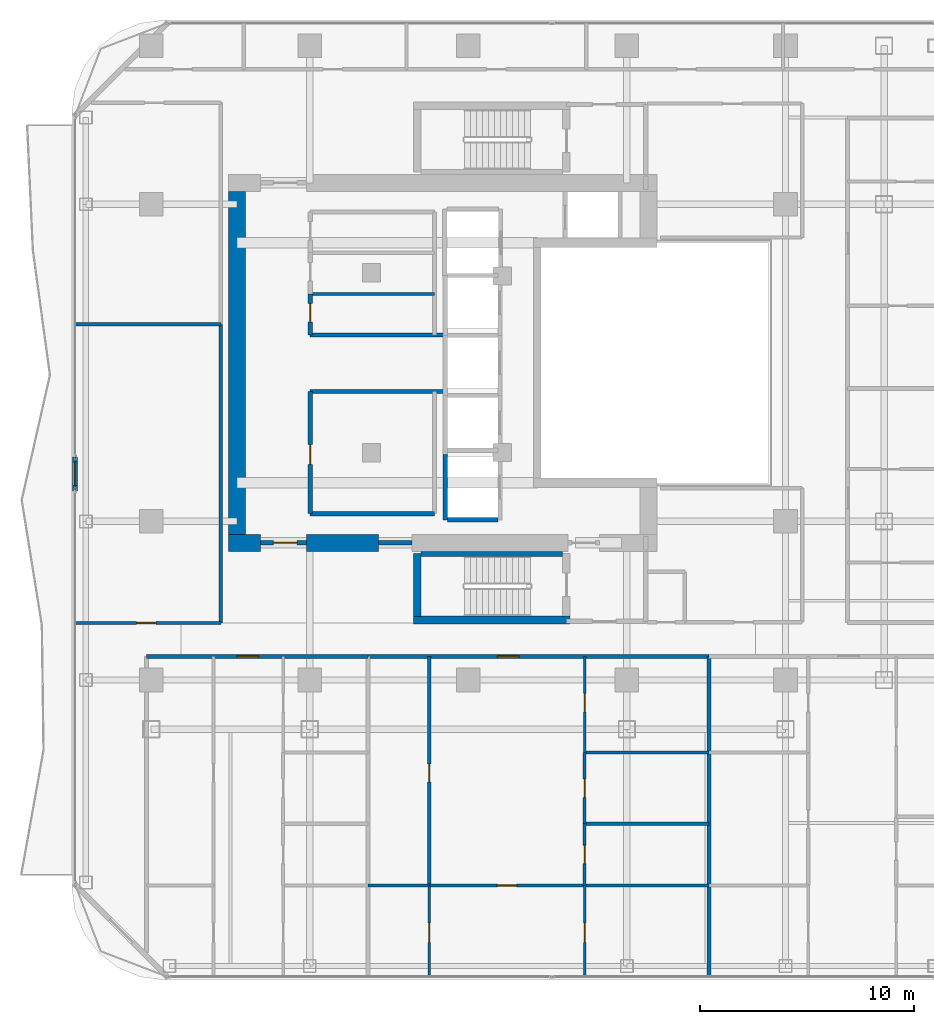
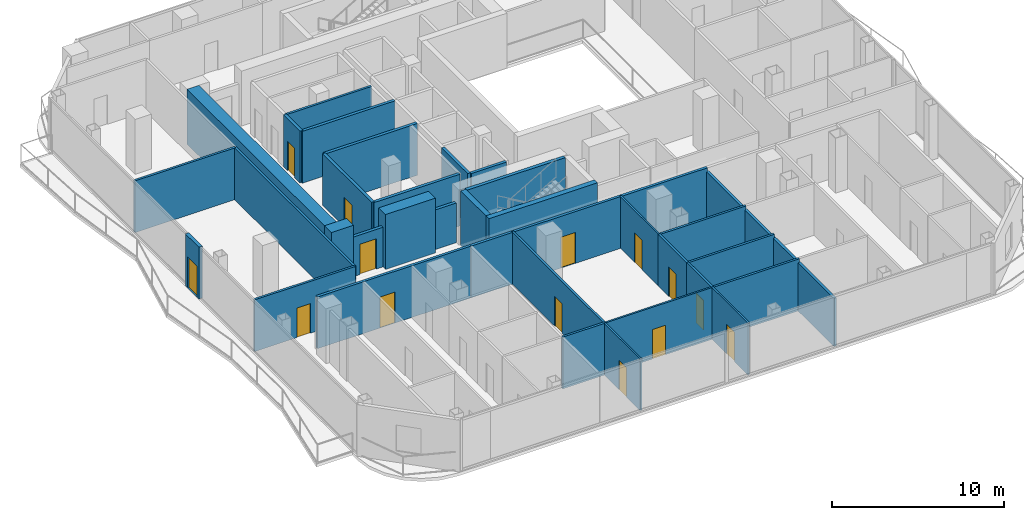
# One storey, part 20 of 27: 34 walls, 14 doors, 14 openings.
"""IFC4 building model written with IfcOpenShell, lengths in metres."""

from ifc_helpers import new_model, si_unit, direction, frame, frame_2d, origin, place, context, subcontext, project, spatial, rectangle, extrude, material, layer, layer_set, type_object, element, fill, save


model = new_model("IFC4")

# Units and contexts
model_context = context("Model", 3, precision=1e-05, world=origin(), true_north=direction((0.0, 1.0)))
body_context = subcontext(model_context, "Body", "Model", "MODEL_VIEW")
ifc_project = project(units=[si_unit("LENGTHUNIT", "METRE"), si_unit("AREAUNIT", "SQUARE_METRE"), si_unit("VOLUMEUNIT", "CUBIC_METRE"), si_unit("PLANEANGLEUNIT", "RADIAN"), si_unit("MASSUNIT", "GRAM", prefix="KILO")], contexts=[model_context])

# Site, building, storey
site_placement = place(None, origin())
site = spatial("IfcSite", under=ifc_project, at=site_placement, CompositionType="ELEMENT")
building_placement = place(site_placement, origin())
building = spatial("IfcBuilding", under=site, at=building_placement, Name="Khorvyn Point Tower", CompositionType="ELEMENT")
storey_placement = place(building_placement, frame((0.0, 0.0, 227.39990234375)))
storey = spatial("IfcBuildingStorey", under=building, at=storey_placement, Name="L56", CompositionType="ELEMENT", Elevation=227.39990234375)

# Wall, opening, door
ifc_material_1 = material(Name="Double acoustic gypsum on twin steel stud", Category="steel")
ifc_layer_1 = layer(ifc_material_1, 0.179931640625)
ifc_layer_set_1 = layer_set([ifc_layer_1], Name="Acoustic Double-Stud Apartment Demising Wall 180")
wall_type_1 = type_object("IfcWallType", Name="Acoustic Double-Stud Apartment Demising Wall 180", PredefinedType="PARTITIONING", material=ifc_layer_set_1)
wall_1_placement = place(storey_placement, frame((-15.02001953125, -13.699951171875, 0.0), z_axis=(0.0, 0.0, 1.0), x_axis=(1.0, 0.0, 0.0)))
wall_1 = element("IfcWall", 1, at=wall_1_placement, inside=storey, type_object=wall_type_1, Name="Wall", PredefinedType="PARTITIONING", context=body_context, shape_type="SweptSolid", body=[
    extrude(rectangle(XDim=10.343017578125, YDim=0.179931640625, at=frame_2d((5.17138671875, 0.0))), origin(), (0.0, 0.0, 1.0), 3.68017578125),
])
opening_1_placement = place(wall_1_placement, frame((4.229248046875, 0.0, 0.0)))
opening_1 = element("IfcOpeningElement", 2, at=opening_1_placement, cuts=wall_1, Name="Opening ID-AP60", PredefinedType="OPENING", context=body_context, shape_type="SweptSolid", body=[
    extrude(rectangle(XDim=1.0, YDim=2.199951171875, at=frame_2d((0.5, 1.10009765625))), frame((0.0, 0.099853515625, 0.0), z_axis=(0.0, -1.0, 0.0), x_axis=(1.0, 0.0, 0.0)), (0.0, 0.0, 1.0), 0.199951171875),
])
ifc_material_2 = material(Name="Engineered hardwood fire-rated leaf", Category="wood")
door_type_1 = type_object("IfcDoorType", Name="Acoustic Solid-Core Timber Apartment Entrance Door 1000x2200", OperationType="NOTDEFINED", PredefinedType="DOOR", material=ifc_material_2)
door_1_placement = place(opening_1_placement, origin())
door_1 = element("IfcDoor", 3, at=door_1_placement, inside=storey, type_object=door_type_1, Name="Door", OperationType="SINGLE_SWING_LEFT", OverallHeight=2.199951171875, OverallWidth=1.0, PredefinedType="DOOR", context=body_context, shape_type="SweptSolid", body=[
    extrude(rectangle(XDim=1.0, YDim=2.199951171875, at=frame_2d((0.5, 1.10009765625))), frame((0.0, 0.02490234375, 0.0), z_axis=(0.0, -1.0, 0.0), x_axis=(1.0, 0.0, 0.0)), (0.0, 0.0, 1.0), 0.050048828125),
])
fill(opening_1, door_1)

wall_2_placement = place(storey_placement, frame((-4.677001953125, -13.699951171875, 0.0), z_axis=(0.0, 0.0, 1.0), x_axis=(1.0, 0.0, 0.0)))
wall_2 = element("IfcWall", 4, at=wall_2_placement, inside=storey, type_object=wall_type_1, Name="Wall", PredefinedType="PARTITIONING", context=body_context, shape_type="SweptSolid", body=[
    extrude(rectangle(XDim=15.905029296875, YDim=0.179931640625, at=frame_2d((7.95263671875, 0.0))), origin(), (0.0, 0.0, 1.0), 3.68017578125),
])
opening_2_placement = place(wall_2_placement, frame((6.029541015625, 0.0, 0.0)))
opening_2 = element("IfcOpeningElement", 5, at=opening_2_placement, cuts=wall_2, Name="Opening ID-AP60", PredefinedType="OPENING", context=body_context, shape_type="SweptSolid", body=[
    extrude(rectangle(XDim=1.0, YDim=2.199951171875, at=frame_2d((0.5, 1.10009765625))), frame((0.0, 0.099853515625, 0.0), z_axis=(0.0, -1.0, 0.0), x_axis=(1.0, 0.0, 0.0)), (0.0, 0.0, 1.0), 0.199951171875),
])
door_2_placement = place(opening_2_placement, origin())
door_2 = element("IfcDoor", 6, at=door_2_placement, inside=storey, type_object=door_type_1, Name="Door", OperationType="SINGLE_SWING_RIGHT", OverallHeight=2.199951171875, OverallWidth=1.0, PredefinedType="DOOR", context=body_context, shape_type="SweptSolid", body=[
    extrude(rectangle(XDim=1.0, YDim=2.199951171875, at=frame_2d((0.5, 1.10009765625))), frame((0.0, 0.02490234375, 0.0), z_axis=(0.0, -1.0, 0.0), x_axis=(1.0, 0.0, 0.0)), (0.0, 0.0, 1.0), 0.050048828125),
])
fill(opening_2, door_2)

# Wall
wall_3_placement = place(storey_placement, frame((11.22802734375, -28.6298828125, 0.0), z_axis=(0.0, 0.0, 1.0), x_axis=(0.0, 1.0, 0.0)))
element("IfcWall", 7, at=wall_3_placement, inside=storey, type_object=wall_type_1, Name="Wall", PredefinedType="PARTITIONING", context=body_context, shape_type="SweptSolid", body=[
    extrude(rectangle(XDim=14.929931640625, YDim=0.179931640625, at=frame_2d((7.46484375, 0.0))), origin(), (0.0, 0.0, 1.0), 3.420166015625),
])

# Wall, opening, door
ifc_material_3 = material(Name="Pale anodised aluminium rainscreen on steel stud", Category="steel")
ifc_layer_2 = layer(ifc_material_3, 0.239990234375)
ifc_layer_set_2 = layer_set([ifc_layer_2], Name="Anodised Aluminium Insulated Corner Spandrel Wall 240")
wall_type_2 = type_object("IfcWallType", Name="Anodised Aluminium Insulated Corner Spandrel Wall 240", PredefinedType="SOLIDWALL", material=ifc_layer_set_2)
wall_4_placement = place(storey_placement, frame((-18.35009765625, -5.969970703125, 0.0), z_axis=(0.0, 0.0, 1.0), x_axis=(0.0, 1.0, 0.0)))
wall_4 = element("IfcWall", 8, at=wall_4_placement, inside=storey, type_object=wall_type_2, Name="L56 West Outdoor Threshold Wall", PredefinedType="SOLIDWALL", context=body_context, shape_type="SweptSolid", body=[
    extrude(rectangle(XDim=1.580078125, YDim=0.239990234375, at=frame_2d((0.7900390625, 0.0))), origin(), (0.0, 0.0, 1.0), 3.68017578125),
])
opening_3_placement = place(wall_4_placement, frame((0.239990234375, 0.0, 0.0)))
opening_3 = element("IfcOpeningElement", 9, at=opening_3_placement, cuts=wall_4, Name="Opening BD-1122", PredefinedType="OPENING", context=body_context, shape_type="SweptSolid", body=[
    extrude(rectangle(XDim=1.10009765625, YDim=2.199951171875, at=frame_2d((0.550048828125, 1.10009765625))), frame((0.0, 0.1298828125, 0.0), z_axis=(0.0, -1.0, 0.0), x_axis=(1.0, 0.0, 0.0)), (0.0, 0.0, 1.0), 0.260009765625),
])
ifc_material_4 = material(Name="Anodised aluminium 6063-T6 and laminated Low-E glass", Category="aluminium")
door_type_2 = type_object("IfcDoorType", Name="Glazed Balcony and Terrace Threshold Door 1100x2200", OperationType="NOTDEFINED", PredefinedType="DOOR", material=ifc_material_4)
door_3_placement = place(opening_3_placement, origin())
door_3 = element("IfcDoor", 10, at=door_3_placement, inside=storey, type_object=door_type_2, Name="L56 West Glazed Balcony Outdoor Door", OperationType="SINGLE_SWING_RIGHT", OverallHeight=2.199951171875, OverallWidth=1.10009765625, PredefinedType="DOOR", context=body_context, shape_type="SweptSolid", body=[
    extrude(rectangle(XDim=1.10009765625, YDim=2.199951171875, at=frame_2d((0.550048828125, 1.10009765625))), frame((0.0, 0.02490234375, 0.0), z_axis=(0.0, -1.0, 0.0), x_axis=(1.0, 0.0, 0.0)), (0.0, 0.0, 1.0), 0.050048828125),
])
fill(opening_3, door_3)

ifc_material_5 = material(Name="Concrete C40/50", Category="concrete")
ifc_layer_3 = layer(ifc_material_5, 0.199951171875)
ifc_layer_set_3 = layer_set([ifc_layer_3], Name="Concrete C40/50 Fire-Lobby Compartment Wall 200")
wall_type_3 = type_object("IfcWallType", Name="Concrete C40/50 Fire-Lobby Compartment Wall 200", PredefinedType="SOLIDWALL", material=ifc_layer_set_3)
wall_5_placement = place(storey_placement, frame((-9.699951171875, -8.39990234375, 0.0), z_axis=(0.0, 0.0, 1.0), x_axis=(1.0, 0.0, 0.0)))
wall_5 = element("IfcWall", 11, at=wall_5_placement, inside=storey, type_object=wall_type_3, Name="Wall", PredefinedType="SOLIDWALL", context=body_context, shape_type="SweptSolid", body=[
    extrude(rectangle(XDim=2.14990234375, YDim=0.199951171875, at=frame_2d((1.074951171875, 0.0))), origin(), (0.0, 0.0, 1.0), 2.820068359375),
])
opening_4_placement = place(wall_5_placement, frame((0.597900390625, 0.0, 0.0)))
opening_4 = element("IfcOpeningElement", 12, at=opening_4_placement, cuts=wall_5, Name="Opening ID-FL90", PredefinedType="OPENING", context=body_context, shape_type="SweptSolid", body=[
    extrude(rectangle(XDim=1.10009765625, YDim=2.14990234375, at=frame_2d((0.550048828125, 1.074951171875))), frame((0.0, 0.10986328125, 0.0), z_axis=(0.0, -1.0, 0.0), x_axis=(1.0, 0.0, 0.0)), (0.0, 0.0, 1.0), 0.219970703125),
])
ifc_material_6 = material(Name="Galvanised powder-coated steel", Category="steel")
door_type_3 = type_object("IfcDoorType", Name="Fire-Rated Steel Lobby and Stair Door 1100x2150", OperationType="NOTDEFINED", PredefinedType="DOOR", material=ifc_material_6)
door_4_placement = place(opening_4_placement, origin())
door_4 = element("IfcDoor", 13, at=door_4_placement, inside=storey, type_object=door_type_3, Name="Door", OperationType="SINGLE_SWING_LEFT", OverallHeight=2.14990234375, OverallWidth=1.10009765625, PredefinedType="DOOR", context=body_context, shape_type="SweptSolid", body=[
    extrude(rectangle(XDim=1.10009765625, YDim=2.14990234375, at=frame_2d((0.550048828125, 1.074951171875))), frame((0.0, 0.02490234375, 0.0), z_axis=(0.0, -1.0, 0.0), x_axis=(1.0, 0.0, 0.0)), (0.0, 0.0, 1.0), 0.050048828125),
])
fill(opening_4, door_4)

wall_6_placement = place(storey_placement, frame((-7.3798828125, -7.0400390625, 0.0), z_axis=(0.0, 0.0, 1.0), x_axis=(0.0, 1.0, 0.0)))
wall_6 = element("IfcWall", 14, at=wall_6_placement, inside=storey, type_object=wall_type_3, Name="Wall", PredefinedType="SOLIDWALL", context=body_context, shape_type="SweptSolid", body=[
    extrude(rectangle(XDim=5.699951171875, YDim=0.199951171875, at=frame_2d((2.85009765625, 0.0))), origin(), (0.0, 0.0, 1.0), 3.68017578125),
])
opening_5_placement = place(wall_6_placement, frame((2.30078125, 0.0, 0.0)))
opening_5 = element("IfcOpeningElement", 15, at=opening_5_placement, cuts=wall_6, Name="Opening ID-RS60", PredefinedType="OPENING", context=body_context, shape_type="SweptSolid", body=[
    extrude(rectangle(XDim=0.919921875, YDim=2.10009765625, at=frame_2d((0.4599609375, 1.050048828125))), frame((0.0, 0.10986328125, 0.0), z_axis=(0.0, -1.0, 0.0), x_axis=(1.0, 0.0, 0.0)), (0.0, 0.0, 1.0), 0.219970703125),
])
door_type_4 = type_object("IfcDoorType", Name="Fire-Rated Riser and Store Steel Door 920x2100", OperationType="NOTDEFINED", PredefinedType="DOOR", material=ifc_material_6)
door_5_placement = place(opening_5_placement, origin())
door_5 = element("IfcDoor", 16, at=door_5_placement, inside=storey, type_object=door_type_4, Name="Door", OperationType="SINGLE_SWING_LEFT", OverallHeight=2.10009765625, OverallWidth=0.919921875, PredefinedType="DOOR", context=body_context, shape_type="SweptSolid", body=[
    extrude(rectangle(XDim=0.919921875, YDim=2.10009765625, at=frame_2d((0.4599609375, 1.050048828125))), frame((0.0, 0.02490234375, 0.0), z_axis=(0.0, -1.0, 0.0), x_axis=(1.0, 0.0, 0.0)), (0.0, 0.0, 1.0), 0.050048828125),
])
fill(opening_5, door_5)

wall_7_placement = place(storey_placement, frame((-7.3798828125, 1.300048828125, 0.0), z_axis=(0.0, 0.0, 1.0), x_axis=(0.0, 1.0, 0.0)))
wall_7 = element("IfcWall", 17, at=wall_7_placement, inside=storey, type_object=wall_type_3, Name="Wall", PredefinedType="SOLIDWALL", context=body_context, shape_type="SweptSolid", body=[
    extrude(rectangle(XDim=1.919921875, YDim=0.199951171875, at=frame_2d((0.9599609375, 0.0))), origin(), (0.0, 0.0, 1.0), 3.68017578125),
])
opening_6_placement = place(wall_7_placement, frame((0.610107421875, 0.0, 0.0)))
opening_6 = element("IfcOpeningElement", 18, at=opening_6_placement, cuts=wall_7, Name="Opening ID-WC85", PredefinedType="OPENING", context=body_context, shape_type="SweptSolid", body=[
    extrude(rectangle(XDim=0.85009765625, YDim=2.10009765625, at=frame_2d((0.425048828125, 1.050048828125))), frame((0.0, 0.10986328125, 0.0), z_axis=(0.0, -1.0, 0.0), x_axis=(1.0, 0.0, 0.0)), (0.0, 0.0, 1.0), 0.219970703125),
])
ifc_material_7 = material(Name="High-pressure laminate on moisture-resistant core", Category="wood")
door_type_5 = type_object("IfcDoorType", Name="Moisture-Resistant Accessible Washroom Door 850x2100", OperationType="NOTDEFINED", PredefinedType="DOOR", material=ifc_material_7)
door_6_placement = place(opening_6_placement, origin())
door_6 = element("IfcDoor", 19, at=door_6_placement, inside=storey, type_object=door_type_5, Name="Door", OperationType="SINGLE_SWING_RIGHT", OverallHeight=2.10009765625, OverallWidth=0.85009765625, PredefinedType="DOOR", context=body_context, shape_type="SweptSolid", body=[
    extrude(rectangle(XDim=0.85009765625, YDim=2.10009765625, at=frame_2d((0.425048828125, 1.050048828125))), frame((0.0, 0.02490234375, 0.0), z_axis=(0.0, -1.0, 0.0), x_axis=(1.0, 0.0, 0.0)), (0.0, 0.0, 1.0), 0.050048828125),
])
fill(opening_6, door_6)

# Walls
wall_8_placement = place(storey_placement, frame((-4.199951171875, -8.39990234375, 0.0), z_axis=(0.0, 0.0, 1.0), x_axis=(1.0, 0.0, 0.0)))
element("IfcWall", 20, at=wall_8_placement, inside=storey, type_object=wall_type_3, Name="Wall", PredefinedType="SOLIDWALL", context=body_context, shape_type="SweptSolid", body=[
    extrude(rectangle(XDim=1.579833984375, YDim=0.199951171875, at=frame_2d((0.7900390625, 0.0))), origin(), (0.0, 0.0, 1.0), 2.820068359375),
])
for number, where, z_axis, x_axis, name in (
    (21, (-7.3798828125, -1.340087890625, 0.0), (0.0, 0.0, 1.0), (1.0, 0.0, 0.0), "Wall"),
    (22, (-7.3798828125, 1.300048828125, 0.0), (0.0, 0.0, 1.0), (1.0, 0.0, 0.0), "Wall"),
):
    element("IfcWall", number, at=place(storey_placement, frame(where, z_axis=z_axis, x_axis=x_axis)), inside=storey, type_object=wall_type_3, Name=name, PredefinedType="SOLIDWALL", context=body_context, shape_type="SweptSolid", body=[
        extrude(rectangle(XDim=6.239990234375, YDim=0.199951171875, at=frame_2d((3.1201171875, 0.0))), origin(), (0.0, 0.0, 1.0), 3.68017578125),
    ])
wall_9_placement = place(storey_placement, frame((-7.3798828125, -7.0400390625, 0.0), z_axis=(0.0, 0.0, 1.0), x_axis=(1.0, 0.0, 0.0)))
element("IfcWall", 23, at=wall_9_placement, inside=storey, type_object=wall_type_3, Name="Wall", PredefinedType="SOLIDWALL", context=body_context, shape_type="SweptSolid", body=[
    extrude(rectangle(XDim=5.7998046875, YDim=0.199951171875, at=frame_2d((2.89990234375, 0.0))), origin(), (0.0, 0.0, 1.0), 3.68017578125),
])
ifc_layer_4 = layer(ifc_material_5, 0.25)
ifc_layer_set_4 = layer_set([ifc_layer_4], Name="Concrete C40/50 Stair Inner Cheek Structural Wall 250")
wall_type_4 = type_object("IfcWallType", Name="Concrete C40/50 Stair Inner Cheek Structural Wall 250", PredefinedType="SHEAR", material=ifc_layer_set_4)
wall_10_placement = place(storey_placement, frame((-2.199951171875, -8.91259765625, 0.0), z_axis=(0.0, 0.0, 1.0), x_axis=(1.0, 0.0, 0.0)))
element("IfcWall", 24, at=wall_10_placement, inside=storey, type_object=wall_type_4, Name="Wall", PredefinedType="SHEAR", context=body_context, shape_type="SweptSolid", body=[
    extrude(rectangle(XDim=6.599853515625, YDim=0.22509765625, at=frame_2d((3.2998046875, 0.0))), origin(), (0.0, 0.0, 1.0), 3.900146484375),
])
ifc_layer_5 = layer(ifc_material_5, 0.35009765625)
ifc_layer_set_5 = layer_set([ifc_layer_5], Name="Concrete C40/50 Stair Shaft Structural Wall 350")
wall_type_5 = type_object("IfcWallType", Name="Concrete C40/50 Stair Shaft Structural Wall 350", PredefinedType="SHEAR", material=ifc_layer_set_5)
wall_11_placement = place(storey_placement, frame((-2.554931640625, -12.0, 0.0), z_axis=(0.0, 0.0, 1.0), x_axis=(1.0, 0.0, 0.0)))
element("IfcWall", 25, at=wall_11_placement, inside=storey, type_object=wall_type_5, Name="L56 ST-01 South Shaft Wall", PredefinedType="SHEAR", context=body_context, shape_type="SweptSolid", body=[
    extrude(rectangle(XDim=7.309814453125, YDim=0.35009765625, at=frame_2d((3.65478515625, 0.0))), origin(), (0.0, 0.0, 1.0), 3.900146484375),
])
wall_12_placement = place(storey_placement, frame((-2.3798828125, -11.824951171875, 0.0), z_axis=(0.0, 0.0, 1.0), x_axis=(0.0, 1.0, 0.0)))
element("IfcWall", 26, at=wall_12_placement, inside=storey, type_object=wall_type_5, Name="L56 ST-01 West Shaft Wall", PredefinedType="SHEAR", context=body_context, shape_type="SweptSolid", body=[
    extrude(rectangle(XDim=2.925048828125, YDim=0.35009765625, at=frame_2d((1.46240234375, 0.0))), origin(), (0.0, 0.0, 1.0), 3.900146484375),
])
ifc_layer_6 = layer(ifc_material_5, 0.199951171875)
ifc_layer_set_6 = layer_set([ifc_layer_6], Name="Concrete C40/50 Structural Hoistway and Stair Shaft Wall 200")
wall_type_6 = type_object("IfcWallType", Name="Concrete C40/50 Structural Hoistway and Stair Shaft Wall 200", PredefinedType="SHEAR", material=ifc_layer_set_6)
wall_13_placement = place(storey_placement, frame((-1.074951171875, -7.324951171875, 0.0), z_axis=(0.0, 0.0, 1.0), x_axis=(0.0, 1.0, 0.0)))
element("IfcWall", 27, at=wall_13_placement, inside=storey, type_object=wall_type_6, Name="Wall", PredefinedType="SHEAR", context=body_context, shape_type="SweptSolid", body=[
    extrude(rectangle(XDim=3.050048828125, YDim=0.199951171875, at=frame_2d((1.52490234375, 0.0))), origin(), (0.0, 0.0, 1.0), 3.68017578125),
])
wall_14_placement = place(storey_placement, frame((-0.97509765625, -7.324951171875, 0.0), z_axis=(0.0, 0.0, 1.0), x_axis=(1.0, 0.0, 0.0)))
element("IfcWall", 28, at=wall_14_placement, inside=storey, type_object=wall_type_6, Name="Wall", PredefinedType="SHEAR", context=body_context, shape_type="SweptSolid", body=[
    extrude(rectangle(XDim=2.35009765625, YDim=0.199951171875, at=frame_2d((1.175048828125, 0.0))), origin(), (0.0, 0.0, 1.0), 3.68017578125),
])
ifc_material_8 = material(Name="Concrete C45/55", Category="concrete")
ifc_layer_7 = layer(ifc_material_8, 0.800048828125)
ifc_layer_set_7 = layer_set([ifc_layer_7], Name="Concrete C45/55 Core Shear Wall 800")
wall_type_7 = type_object("IfcWallType", Name="Concrete C45/55 Core Shear Wall 800", PredefinedType="SHEAR", material=ifc_layer_set_7)
wall_15_placement = place(storey_placement, frame((-11.199951171875, -8.39990234375, 0.0), z_axis=(0.0, 0.0, 1.0), x_axis=(1.0, 0.0, 0.0)))
element("IfcWall", 29, at=wall_15_placement, inside=storey, type_object=wall_type_7, Name="Wall", PredefinedType="SHEAR", context=body_context, shape_type="SweptSolid", body=[
    extrude(rectangle(XDim=1.5, YDim=0.800048828125, at=frame_2d((0.75, 0.0))), origin(), (0.0, 0.0, 1.0), 3.900146484375),
])
wall_16_placement = place(storey_placement, frame((-7.550048828125, -8.39990234375, 0.0), z_axis=(0.0, 0.0, 1.0), x_axis=(1.0, 0.0, 0.0)))
element("IfcWall", 30, at=wall_16_placement, inside=storey, type_object=wall_type_7, Name="Wall", PredefinedType="SHEAR", context=body_context, shape_type="SweptSolid", body=[
    extrude(rectangle(XDim=3.35009765625, YDim=0.800048828125, at=frame_2d((1.675048828125, 0.0))), origin(), (0.0, 0.0, 1.0), 3.900146484375),
])
wall_17_placement = place(storey_placement, frame((-10.800048828125, -8.0, 0.0), z_axis=(0.0, 0.0, 1.0), x_axis=(0.0, 1.0, 0.0)))
element("IfcWall", 31, at=wall_17_placement, inside=storey, type_object=wall_type_7, Name="Wall", PredefinedType="SHEAR", context=body_context, shape_type="SweptSolid", body=[
    extrude(rectangle(XDim=16.0, YDim=0.800048828125, at=frame_2d((8.0, 0.0))), origin(), (0.0, 0.0, 1.0), 3.900146484375),
])

# Wall, opening, door
ifc_material_9 = material(Name="Gypsum plasterboard on steel stud", Category="steel")
ifc_layer_8 = layer(ifc_material_9, 0.1201171875)
ifc_layer_set_8 = layer_set([ifc_layer_8], Name="Gypsum Acoustic Stud Room Partition Wall 120")
wall_type_8 = type_object("IfcWallType", Name="Gypsum Acoustic Stud Room Partition Wall 120", PredefinedType="PARTITIONING", material=ifc_layer_set_8)
wall_18_placement = place(storey_placement, frame((-1.826904296875, -24.389892578125, 0.0), z_axis=(0.0, 0.0, 1.0), x_axis=(1.0, 0.0, 0.0)))
wall_18 = element("IfcWall", 32, at=wall_18_placement, inside=storey, type_object=wall_type_8, Name="Wall", PredefinedType="PARTITIONING", context=body_context, shape_type="SweptSolid", body=[
    extrude(rectangle(XDim=7.251953125, YDim=0.1201171875, at=frame_2d((3.6259765625, 0.0))), origin(), (0.0, 0.0, 1.0), 3.68017578125),
])
opening_7_placement = place(wall_18_placement, frame((3.176025390625, 0.0, 0.0)))
opening_7 = element("IfcOpeningElement", 33, at=opening_7_placement, cuts=wall_18, Name="Opening ID-RM90", PredefinedType="OPENING", context=body_context, shape_type="SweptSolid", body=[
    extrude(rectangle(XDim=0.89990234375, YDim=2.10009765625, at=frame_2d((0.449951171875, 1.050048828125))), frame((0.0, 0.070068359375, 0.0), z_axis=(0.0, -1.0, 0.0), x_axis=(1.0, 0.0, 0.0)), (0.0, 0.0, 1.0), 0.14013671875),
])
ifc_material_10 = material(Name="Engineered oak veneer timber", Category="wood")
door_type_6 = type_object("IfcDoorType", Name="Flush Engineered Timber Room Door 900x2100", OperationType="NOTDEFINED", PredefinedType="DOOR", material=ifc_material_10)
door_7_placement = place(opening_7_placement, origin())
door_7 = element("IfcDoor", 34, at=door_7_placement, inside=storey, type_object=door_type_6, Name="Door", OperationType="SINGLE_SWING_LEFT", OverallHeight=2.10009765625, OverallWidth=0.89990234375, PredefinedType="DOOR", context=body_context, shape_type="SweptSolid", body=[
    extrude(rectangle(XDim=0.89990234375, YDim=2.10009765625, at=frame_2d((0.449951171875, 1.050048828125))), frame((0.0, 0.02490234375, 0.0), z_axis=(0.0, -1.0, 0.0), x_axis=(1.0, 0.0, 0.0)), (0.0, 0.0, 1.0), 0.050048828125),
])
fill(opening_7, door_7)

wall_19_placement = place(storey_placement, frame((-1.826904296875, -28.6298828125, 0.0), z_axis=(0.0, 0.0, 1.0), x_axis=(0.0, 1.0, 0.0)))
wall_19 = element("IfcWall", 35, at=wall_19_placement, inside=storey, type_object=wall_type_8, Name="Wall", PredefinedType="PARTITIONING", context=body_context, shape_type="SweptSolid", body=[
    extrude(rectangle(XDim=4.239990234375, YDim=0.1201171875, at=frame_2d((2.1201171875, 0.0))), origin(), (0.0, 0.0, 1.0), 3.68017578125),
])
opening_8_placement = place(wall_19_placement, frame((1.581298828125, 0.0, 0.0)))
opening_8 = element("IfcOpeningElement", 36, at=opening_8_placement, cuts=wall_19, Name="Opening ID-RM90", PredefinedType="OPENING", context=body_context, shape_type="SweptSolid", body=[
    extrude(rectangle(XDim=0.89990234375, YDim=2.10009765625, at=frame_2d((0.449951171875, 1.050048828125))), frame((0.0, 0.070068359375, 0.0), z_axis=(0.0, -1.0, 0.0), x_axis=(1.0, 0.0, 0.0)), (0.0, 0.0, 1.0), 0.14013671875),
])
door_8_placement = place(opening_8_placement, origin())
door_8 = element("IfcDoor", 37, at=door_8_placement, inside=storey, type_object=door_type_6, Name="Door", OperationType="SINGLE_SWING_LEFT", OverallHeight=2.10009765625, OverallWidth=0.89990234375, PredefinedType="DOOR", context=body_context, shape_type="SweptSolid", body=[
    extrude(rectangle(XDim=0.89990234375, YDim=2.10009765625, at=frame_2d((0.449951171875, 1.050048828125))), frame((0.0, 0.02490234375, 0.0), z_axis=(0.0, -1.0, 0.0), x_axis=(1.0, 0.0, 0.0)), (0.0, 0.0, 1.0), 0.050048828125),
])
fill(opening_8, door_8)

wall_20_placement = place(storey_placement, frame((5.425048828125, -18.18994140625, 0.0), z_axis=(0.0, 0.0, 1.0), x_axis=(0.0, 1.0, 0.0)))
wall_20 = element("IfcWall", 38, at=wall_20_placement, inside=storey, type_object=wall_type_8, Name="Wall", PredefinedType="PARTITIONING", context=body_context, shape_type="SweptSolid", body=[
    extrude(rectangle(XDim=4.489990234375, YDim=0.1201171875, at=frame_2d((2.2451171875, 0.0))), origin(), (0.0, 0.0, 1.0), 3.68017578125),
])
opening_9_placement = place(wall_20_placement, frame((1.907470703125, 0.0, 0.0)))
opening_9 = element("IfcOpeningElement", 39, at=opening_9_placement, cuts=wall_20, Name="Opening ID-WC85", PredefinedType="OPENING", context=body_context, shape_type="SweptSolid", body=[
    extrude(rectangle(XDim=0.85009765625, YDim=2.10009765625, at=frame_2d((0.425048828125, 1.050048828125))), frame((0.0, 0.070068359375, 0.0), z_axis=(0.0, -1.0, 0.0), x_axis=(1.0, 0.0, 0.0)), (0.0, 0.0, 1.0), 0.14013671875),
])
door_9_placement = place(opening_9_placement, origin())
door_9 = element("IfcDoor", 40, at=door_9_placement, inside=storey, type_object=door_type_5, Name="Door", OperationType="SINGLE_SWING_RIGHT", OverallHeight=2.10009765625, OverallWidth=0.85009765625, PredefinedType="DOOR", context=body_context, shape_type="SweptSolid", body=[
    extrude(rectangle(XDim=0.85009765625, YDim=2.10009765625, at=frame_2d((0.425048828125, 1.050048828125))), frame((0.0, 0.02490234375, 0.0), z_axis=(0.0, -1.0, 0.0), x_axis=(1.0, 0.0, 0.0)), (0.0, 0.0, 1.0), 0.050048828125),
])
fill(opening_9, door_9)

wall_21_placement = place(storey_placement, frame((5.425048828125, -28.6298828125, 0.0), z_axis=(0.0, 0.0, 1.0), x_axis=(0.0, 1.0, 0.0)))
wall_21 = element("IfcWall", 41, at=wall_21_placement, inside=storey, type_object=wall_type_8, Name="Wall", PredefinedType="PARTITIONING", context=body_context, shape_type="SweptSolid", body=[
    extrude(rectangle(XDim=4.239990234375, YDim=0.1201171875, at=frame_2d((2.1201171875, 0.0))), origin(), (0.0, 0.0, 1.0), 3.68017578125),
])
opening_10_placement = place(wall_21_placement, frame((1.581298828125, 0.0, 0.0)))
opening_10 = element("IfcOpeningElement", 42, at=opening_10_placement, cuts=wall_21, Name="Opening ID-RM90", PredefinedType="OPENING", context=body_context, shape_type="SweptSolid", body=[
    extrude(rectangle(XDim=0.89990234375, YDim=2.10009765625, at=frame_2d((0.449951171875, 1.050048828125))), frame((0.0, 0.070068359375, 0.0), z_axis=(0.0, -1.0, 0.0), x_axis=(1.0, 0.0, 0.0)), (0.0, 0.0, 1.0), 0.14013671875),
])
door_10_placement = place(opening_10_placement, origin())
door_10 = element("IfcDoor", 43, at=door_10_placement, inside=storey, type_object=door_type_6, Name="Door", OperationType="SINGLE_SWING_LEFT", OverallHeight=2.10009765625, OverallWidth=0.89990234375, PredefinedType="DOOR", context=body_context, shape_type="SweptSolid", body=[
    extrude(rectangle(XDim=0.89990234375, YDim=2.10009765625, at=frame_2d((0.449951171875, 1.050048828125))), frame((0.0, 0.02490234375, 0.0), z_axis=(0.0, -1.0, 0.0), x_axis=(1.0, 0.0, 0.0)), (0.0, 0.0, 1.0), 0.050048828125),
])
fill(opening_10, door_10)

ifc_material_11 = material(Name="Moisture-resistant gypsum and cement board", Category="gypsum")
ifc_layer_9 = layer(ifc_material_11, 0.14990234375)
ifc_layer_set_9 = layer_set([ifc_layer_9], Name="Moisture-Resistant Wet-Room Partition Wall 150")
wall_type_9 = type_object("IfcWallType", Name="Moisture-Resistant Wet-Room Partition Wall 150", PredefinedType="PARTITIONING", material=ifc_layer_set_9)
wall_22_placement = place(storey_placement, frame((-1.826904296875, -24.389892578125, 0.0), z_axis=(0.0, 0.0, 1.0), x_axis=(0.0, 1.0, 0.0)))
wall_22 = element("IfcWall", 44, at=wall_22_placement, inside=storey, type_object=wall_type_9, Name="Wall", PredefinedType="PARTITIONING", context=body_context, shape_type="SweptSolid", body=[
    extrude(rectangle(XDim=10.68994140625, YDim=0.14990234375, at=frame_2d((5.344970703125, 0.0))), origin(), (0.0, 0.0, 1.0), 3.68017578125),
])
opening_11_placement = place(wall_22_placement, frame((4.830078125, 0.0, 0.0)))
opening_11 = element("IfcOpeningElement", 45, at=opening_11_placement, cuts=wall_22, Name="Opening ID-WC85", PredefinedType="OPENING", context=body_context, shape_type="SweptSolid", body=[
    extrude(rectangle(XDim=0.85009765625, YDim=2.10009765625, at=frame_2d((0.425048828125, 1.050048828125))), frame((0.0, 0.0849609375, 0.0), z_axis=(0.0, -1.0, 0.0), x_axis=(1.0, 0.0, 0.0)), (0.0, 0.0, 1.0), 0.169921875),
])
door_11_placement = place(opening_11_placement, origin())
door_11 = element("IfcDoor", 46, at=door_11_placement, inside=storey, type_object=door_type_5, Name="Door", OperationType="SINGLE_SWING_RIGHT", OverallHeight=2.10009765625, OverallWidth=0.85009765625, PredefinedType="DOOR", context=body_context, shape_type="SweptSolid", body=[
    extrude(rectangle(XDim=0.85009765625, YDim=2.10009765625, at=frame_2d((0.425048828125, 1.050048828125))), frame((0.0, 0.02490234375, 0.0), z_axis=(0.0, -1.0, 0.0), x_axis=(1.0, 0.0, 0.0)), (0.0, 0.0, 1.0), 0.050048828125),
])
fill(opening_11, door_11)

wall_23_placement = place(storey_placement, frame((5.425048828125, -24.389892578125, 0.0), z_axis=(0.0, 0.0, 1.0), x_axis=(0.0, 1.0, 0.0)))
wall_23 = element("IfcWall", 47, at=wall_23_placement, inside=storey, type_object=wall_type_9, Name="Wall", PredefinedType="PARTITIONING", context=body_context, shape_type="SweptSolid", body=[
    extrude(rectangle(XDim=2.885986328125, YDim=0.14990234375, at=frame_2d((1.44287109375, 0.0))), origin(), (0.0, 0.0, 1.0), 3.68017578125),
])
opening_12_placement = place(wall_23_placement, frame((1.01806640625, 0.0, 0.0)))
opening_12 = element("IfcOpeningElement", 48, at=opening_12_placement, cuts=wall_23, Name="Opening ID-WC85", PredefinedType="OPENING", context=body_context, shape_type="SweptSolid", body=[
    extrude(rectangle(XDim=0.85009765625, YDim=2.10009765625, at=frame_2d((0.425048828125, 1.050048828125))), frame((0.0, 0.0849609375, 0.0), z_axis=(0.0, -1.0, 0.0), x_axis=(1.0, 0.0, 0.0)), (0.0, 0.0, 1.0), 0.169921875),
])
door_12_placement = place(opening_12_placement, origin())
door_12 = element("IfcDoor", 49, at=door_12_placement, inside=storey, type_object=door_type_5, Name="Door", OperationType="SINGLE_SWING_RIGHT", OverallHeight=2.10009765625, OverallWidth=0.85009765625, PredefinedType="DOOR", context=body_context, shape_type="SweptSolid", body=[
    extrude(rectangle(XDim=0.85009765625, YDim=2.10009765625, at=frame_2d((0.425048828125, 1.050048828125))), frame((0.0, 0.02490234375, 0.0), z_axis=(0.0, -1.0, 0.0), x_axis=(1.0, 0.0, 0.0)), (0.0, 0.0, 1.0), 0.050048828125),
])
fill(opening_12, door_12)

wall_24_placement = place(storey_placement, frame((5.425048828125, -21.50390625, 0.0), z_axis=(0.0, 0.0, 1.0), x_axis=(0.0, 1.0, 0.0)))
wall_24 = element("IfcWall", 50, at=wall_24_placement, inside=storey, type_object=wall_type_9, Name="Wall", PredefinedType="PARTITIONING", context=body_context, shape_type="SweptSolid", body=[
    extrude(rectangle(XDim=3.31396484375, YDim=0.14990234375, at=frame_2d((1.656982421875, 0.0))), origin(), (0.0, 0.0, 1.0), 3.68017578125),
])
opening_13_placement = place(wall_24_placement, frame((1.23193359375, 0.0, 0.0)))
opening_13 = element("IfcOpeningElement", 51, at=opening_13_placement, cuts=wall_24, Name="Opening ID-WC85", PredefinedType="OPENING", context=body_context, shape_type="SweptSolid", body=[
    extrude(rectangle(XDim=0.85009765625, YDim=2.10009765625, at=frame_2d((0.425048828125, 1.050048828125))), frame((0.0, 0.0849609375, 0.0), z_axis=(0.0, -1.0, 0.0), x_axis=(1.0, 0.0, 0.0)), (0.0, 0.0, 1.0), 0.169921875),
])
door_13_placement = place(opening_13_placement, origin())
door_13 = element("IfcDoor", 52, at=door_13_placement, inside=storey, type_object=door_type_5, Name="Door", OperationType="SINGLE_SWING_LEFT", OverallHeight=2.10009765625, OverallWidth=0.85009765625, PredefinedType="DOOR", context=body_context, shape_type="SweptSolid", body=[
    extrude(rectangle(XDim=0.85009765625, YDim=2.10009765625, at=frame_2d((0.425048828125, 1.050048828125))), frame((0.0, 0.02490234375, 0.0), z_axis=(0.0, -1.0, 0.0), x_axis=(1.0, 0.0, 0.0)), (0.0, 0.0, 1.0), 0.050048828125),
])
fill(opening_13, door_13)

wall_25_placement = place(storey_placement, frame((-18.330078125, -12.139892578125, 0.0), z_axis=(0.0, 0.0, 1.0), x_axis=(1.0, 0.0, 0.0)))
wall_25 = element("IfcWall", 53, at=wall_25_placement, inside=storey, type_object=wall_type_9, Name="Wall", PredefinedType="PARTITIONING", context=body_context, shape_type="SweptSolid", body=[
    extrude(rectangle(XDim=6.780029296875, YDim=0.14990234375, at=frame_2d((3.39013671875, 0.0))), origin(), (0.0, 0.0, 1.0), 3.68017578125),
])
opening_14_placement = place(wall_25_placement, frame((2.850341796875, 0.0, 0.0)))
opening_14 = element("IfcOpeningElement", 54, at=opening_14_placement, cuts=wall_25, Name="Opening ID-RM90", PredefinedType="OPENING", context=body_context, shape_type="SweptSolid", body=[
    extrude(rectangle(XDim=0.89990234375, YDim=2.10009765625, at=frame_2d((0.449951171875, 1.050048828125))), frame((0.0, 0.0849609375, 0.0), z_axis=(0.0, -1.0, 0.0), x_axis=(1.0, 0.0, 0.0)), (0.0, 0.0, 1.0), 0.169921875),
])
door_14_placement = place(opening_14_placement, origin())
door_14 = element("IfcDoor", 55, at=door_14_placement, inside=storey, type_object=door_type_6, Name="Door", OperationType="SINGLE_SWING_LEFT", OverallHeight=2.10009765625, OverallWidth=0.89990234375, PredefinedType="DOOR", context=body_context, shape_type="SweptSolid", body=[
    extrude(rectangle(XDim=0.89990234375, YDim=2.10009765625, at=frame_2d((0.449951171875, 1.050048828125))), frame((0.0, 0.02490234375, 0.0), z_axis=(0.0, -1.0, 0.0), x_axis=(1.0, 0.0, 0.0)), (0.0, 0.0, 1.0), 0.050048828125),
])
fill(opening_14, door_14)

# Walls
wall_26_placement = place(storey_placement, frame((-7.3798828125, 3.219970703125, 0.0), z_axis=(0.0, 0.0, 1.0), x_axis=(1.0, 0.0, 0.0)))
element("IfcWall", 56, at=wall_26_placement, inside=storey, type_object=wall_type_9, Name="Wall", PredefinedType="PARTITIONING", context=body_context, shape_type="SweptSolid", body=[
    extrude(rectangle(XDim=5.7998046875, YDim=0.14990234375, at=frame_2d((2.89990234375, 0.0))), origin(), (0.0, 0.0, 1.0), 3.68017578125),
])
wall_27_placement = place(storey_placement, frame((-4.677001953125, -24.389892578125, 0.0), z_axis=(0.0, 0.0, 1.0), x_axis=(1.0, 0.0, 0.0)))
element("IfcWall", 57, at=wall_27_placement, inside=storey, type_object=wall_type_9, Name="Wall", PredefinedType="PARTITIONING", context=body_context, shape_type="SweptSolid", body=[
    extrude(rectangle(XDim=2.85009765625, YDim=0.14990234375, at=frame_2d((1.425048828125, 0.0))), origin(), (0.0, 0.0, 1.0), 3.68017578125),
])
for number, where, z_axis, x_axis, name in (
    (58, (5.425048828125, -21.50390625, 0.0), (0.0, 0.0, 1.0), (1.0, 0.0, 0.0), "Wall"),
    (59, (5.425048828125, -18.18994140625, 0.0), (0.0, 0.0, 1.0), (1.0, 0.0, 0.0), "Wall"),
    (60, (5.425048828125, -24.389892578125, 0.0), (0.0, 0.0, 1.0), (1.0, 0.0, 0.0), "Wall"),
):
    element("IfcWall", number, at=place(storey_placement, frame(where, z_axis=z_axis, x_axis=x_axis)), inside=storey, type_object=wall_type_9, Name=name, PredefinedType="PARTITIONING", context=body_context, shape_type="SweptSolid", body=[
        extrude(rectangle(XDim=5.802978515625, YDim=0.14990234375, at=frame_2d((2.9013671875, 0.0))), origin(), (0.0, 0.0, 1.0), 3.68017578125),
    ])
wall_28_placement = place(storey_placement, frame((-18.330078125, 1.800048828125, 0.0), z_axis=(0.0, 0.0, 1.0), x_axis=(1.0, 0.0, 0.0)))
element("IfcWall", 61, at=wall_28_placement, inside=storey, type_object=wall_type_9, Name="Wall", PredefinedType="PARTITIONING", context=body_context, shape_type="SweptSolid", body=[
    extrude(rectangle(XDim=6.780029296875, YDim=0.14990234375, at=frame_2d((3.39013671875, 0.0))), origin(), (0.0, 0.0, 1.0), 3.68017578125),
])
wall_29_placement = place(storey_placement, frame((-11.550048828125, -12.139892578125, 0.0), z_axis=(0.0, 0.0, 1.0), x_axis=(0.0, 1.0, 0.0)))
element("IfcWall", 62, at=wall_29_placement, inside=storey, type_object=wall_type_9, Name="Wall", PredefinedType="PARTITIONING", context=body_context, shape_type="SweptSolid", body=[
    extrude(rectangle(XDim=13.93994140625, YDim=0.14990234375, at=frame_2d((6.969970703125, 0.0))), origin(), (0.0, 0.0, 1.0), 3.68017578125),
])

save(model, "model.ifc")
